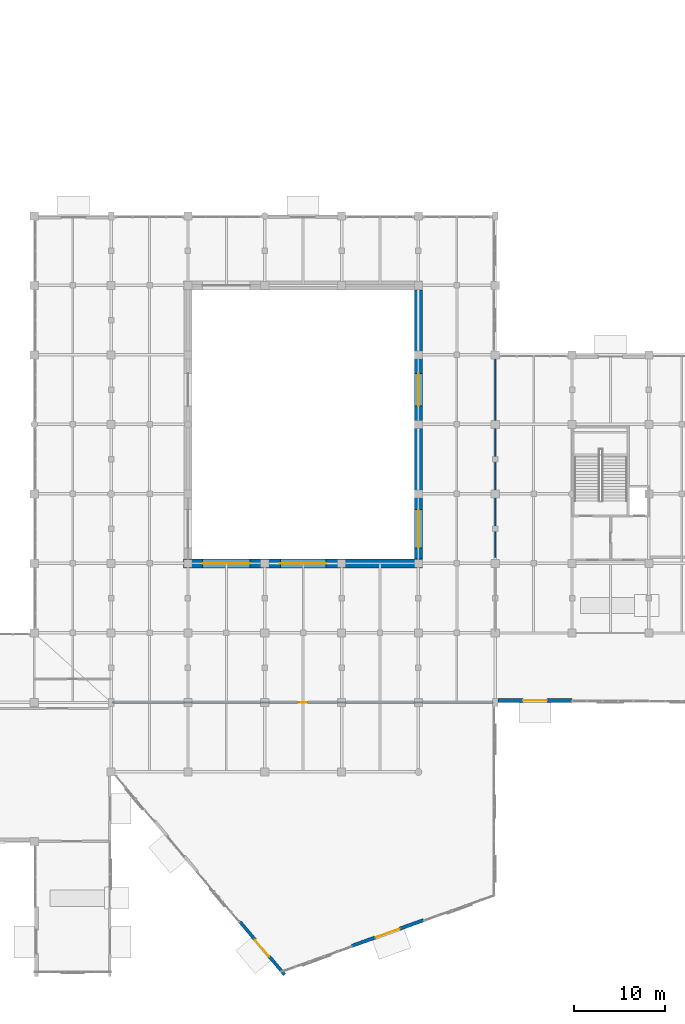
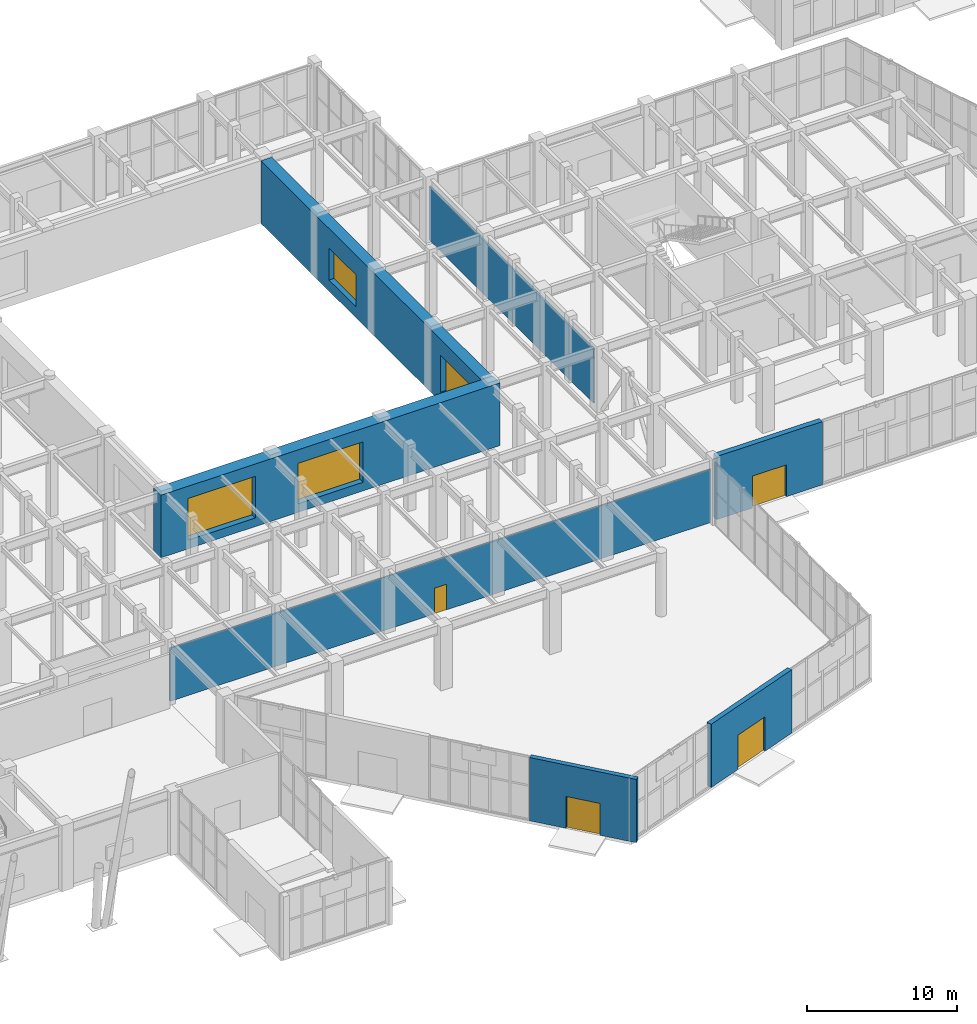
# One storey, part 121 of 139: 7 walls, 4 doors, 4 windows, 8 openings.
"""IFC4 building model written with IfcOpenShell, lengths in metres."""

from ifc_helpers import new_model, si_unit, direction, frame, frame_2d, origin, place, context, subcontext, project, spatial, rectangle, extrude, material, layer, layer_set, type_object, element, fill, save


model = new_model("IFC4")

# Units and contexts
model_context = context("Model", 3, precision=1e-05, world=origin(), true_north=direction((0.0, 1.0)))
body_context = subcontext(model_context, "Body", "Model", "MODEL_VIEW")
ifc_project = project(units=[si_unit("LENGTHUNIT", "METRE"), si_unit("AREAUNIT", "SQUARE_METRE"), si_unit("VOLUMEUNIT", "CUBIC_METRE"), si_unit("PLANEANGLEUNIT", "RADIAN"), si_unit("MASSUNIT", "GRAM", prefix="KILO")], contexts=[model_context])

# Site, building, storey
site_placement = place(None, origin())
site = spatial("IfcSite", under=ifc_project, at=site_placement, CompositionType="ELEMENT")
building_placement = place(site_placement, origin())
building = spatial("IfcBuilding", under=site, at=building_placement, Name="Xicomal Pleat Aquarium", CompositionType="ELEMENT")
storey_placement = place(building_placement, origin())
storey = spatial("IfcBuildingStorey", under=building, at=storey_placement, Name="L01", CompositionType="ELEMENT", Elevation=0.0)

# Wall, opening, door
ifc_material_1 = material(Name="Volcanic basalt recinto masonry and concrete C40/50", Category="masonry")
ifc_layer_1 = layer(ifc_material_1, 0.35009765625)
ifc_layer_set_1 = layer_set([ifc_layer_1], Name="Volcanic basalt recinto masonry and concrete C40/50")
wall_type_1 = type_object("IfcWallType", Name="WAL-EXT-BAS-350", PredefinedType="SOLIDWALL", material=ifc_layer_set_1)
wall_1_placement = place(storey_placement, frame((71.166015625, 0.637939453125, 0.0), z_axis=(0.0, 0.0, 1.0), x_axis=(-0.645615960165, 0.763662249938, 0.0)))
wall_1 = element("IfcWall", 1, at=wall_1_placement, inside=storey, type_object=wall_type_1, Name="L01 exterior basalt-precast wall EW-L01-004", PredefinedType="SOLIDWALL", context=body_context, shape_type="SweptSolid", body=[
    extrude(rectangle(XDim=7.58203125, YDim=0.35009765625, at=frame_2d((3.791015625, 0.0))), origin(), (0.0, 0.0, 1.0), 5.159912109375),
])
opening_1_placement = place(wall_1_placement, frame((2.591064453125, 0.0, 0.0)))
opening_1 = element("IfcOpeningElement", 2, at=opening_1_placement, cuts=wall_1, Name="Opening DG-04", PredefinedType="OPENING", context=body_context, shape_type="SweptSolid", body=[
    extrude(rectangle(XDim=2.39990234375, YDim=2.60009765625, at=frame_2d((1.199951171875, 1.300048828125))), frame((0.0, 0.18505859375, 0.0), z_axis=(0.0, -1.0, 0.0), x_axis=(1.0, 0.0, 0.0)), (0.0, 0.0, 1.0), 0.3701171875),
])
ifc_material_2 = material(Name="Galvanized powder-coated steel", Category="steel")
door_type_1 = type_object("IfcDoorType", Name="DOR-GAT-2400x2600", OperationType="DOUBLE_DOOR_SINGLE_SWING", PredefinedType="GATE", material=ifc_material_2)
door_1_placement = place(opening_1_placement, origin())
door_1 = element("IfcDoor", 3, at=door_1_placement, inside=storey, type_object=door_type_1, Name="Court biosecurity service gate DG-04", OperationType="DOUBLE_DOOR_SINGLE_SWING", OverallHeight=2.60009765625, OverallWidth=2.39990234375, PredefinedType="GATE", context=body_context, shape_type="SweptSolid", body=[
    extrude(rectangle(XDim=2.39990234375, YDim=2.60009765625, at=frame_2d((1.199951171875, 1.300048828125))), frame((0.0, 0.02490234375, 0.0), z_axis=(0.0, -1.0, 0.0), x_axis=(1.0, 0.0, 0.0)), (0.0, 0.0, 1.0), 0.050048828125),
])
fill(opening_1, door_1)

ifc_material_3 = material(Name="Volcanic basalt recinto masonry and concrete C40/50", Category="masonry")
ifc_layer_2 = layer(ifc_material_3, 0.3798828125)
ifc_layer_set_2 = layer_set([ifc_layer_2], Name="Volcanic basalt recinto masonry and concrete C40/50")
wall_type_2 = type_object("IfcWallType", Name="WAL-EXT-BAS-380", PredefinedType="SOLIDWALL", material=ifc_layer_set_2)
wall_2_placement = place(storey_placement, frame((86.35498046875, 6.5859375, 0.0), z_axis=(0.0, 0.0, 1.0), x_axis=(-0.941180805615, -0.337903375452, 0.0)))
wall_2 = element("IfcWall", 4, at=wall_2_placement, inside=storey, type_object=wall_type_2, Name="L01 exterior basalt-precast wall EW-L01-002", PredefinedType="SOLIDWALL", context=body_context, shape_type="SweptSolid", body=[
    extrude(rectangle(XDim=8.32763671875, YDim=0.3798828125, at=frame_2d((4.163818359375, 0.0))), origin(), (0.0, 0.0, 1.0), 5.159912109375),
])
opening_2_placement = place(wall_2_placement, frame((2.763916015625, 0.0, 0.0)))
opening_2 = element("IfcOpeningElement", 5, at=opening_2_placement, cuts=wall_2, Name="Opening DG-03", PredefinedType="OPENING", context=body_context, shape_type="SweptSolid", body=[
    extrude(rectangle(XDim=2.800048828125, YDim=2.800048828125, at=frame_2d((1.39990234375, 1.39990234375))), frame((0.0, 0.199951171875, 0.0), z_axis=(0.0, -1.0, 0.0), x_axis=(1.0, 0.0, 0.0)), (0.0, 0.0, 1.0), 0.39990234375),
])
ifc_material_4 = material(Name="Galvanized powder-coated steel", Category="steel")
door_type_2 = type_object("IfcDoorType", Name="DOR-GAT-2800x2800", OperationType="DOUBLE_DOOR_SINGLE_SWING", PredefinedType="GATE", material=ifc_material_4)
door_2_placement = place(opening_2_placement, origin())
door_2 = element("IfcDoor", 6, at=door_2_placement, inside=storey, type_object=door_type_2, Name="Court biosecurity service gate DG-03", OperationType="DOUBLE_DOOR_SINGLE_SWING", OverallHeight=2.800048828125, OverallWidth=2.800048828125, PredefinedType="GATE", context=body_context, shape_type="SweptSolid", body=[
    extrude(rectangle(XDim=2.800048828125, YDim=2.800048828125, at=frame_2d((1.39990234375, 1.39990234375))), frame((0.0, 0.02490234375, 0.0), z_axis=(0.0, -1.0, 0.0), x_axis=(1.0, 0.0, 0.0)), (0.0, 0.0, 1.0), 0.050048828125),
])
fill(opening_2, door_2)

ifc_material_5 = material(Name="Volcanic basalt recinto masonry and concrete C40/50", Category="masonry")
ifc_layer_3 = layer(ifc_material_5, 0.419921875)
ifc_layer_set_3 = layer_set([ifc_layer_3], Name="Volcanic basalt recinto masonry and concrete C40/50")
wall_type_3 = type_object("IfcWallType", Name="WAL-EXT-BAS-420", PredefinedType="SOLIDWALL", material=ifc_layer_set_3)
wall_3_placement = place(storey_placement, frame((102.6201171875, 30.610107421875, 0.0), z_axis=(0.0, 0.0, 1.0), x_axis=(-1.0, 0.0, 0.0)))
wall_3 = element("IfcWall", 7, at=wall_3_placement, inside=storey, type_object=wall_type_3, Name="L01 exterior basalt-precast wall EW-L01-078", PredefinedType="SOLIDWALL", context=body_context, shape_type="SweptSolid", body=[
    extrude(rectangle(XDim=8.135009765625, YDim=0.419921875, at=frame_2d((4.0673828125, 0.0))), origin(), (0.0, 0.0, 1.0), 5.159912109375),
])
opening_3_placement = place(wall_3_placement, frame((2.76806640625, 0.0, 0.0)))
opening_3 = element("IfcOpeningElement", 8, at=opening_3_placement, cuts=wall_3, Name="Opening EX-17", PredefinedType="OPENING", context=body_context, shape_type="SweptSolid", body=[
    extrude(rectangle(XDim=2.60009765625, YDim=2.60009765625, at=frame_2d((1.300048828125, 1.300048828125))), frame((0.0, 0.219970703125, 0.0), z_axis=(0.0, -1.0, 0.0), x_axis=(1.0, 0.0, 0.0)), (0.0, 0.0, 1.0), 0.43994140625),
])
ifc_material_6 = material(Name="Bronze anodized aluminium and laminated safety glass", Category="aluminium")
door_type_3 = type_object("IfcDoorType", Name="DOR-EX-2600x2600", OperationType="DOUBLE_DOOR_SINGLE_SWING", PredefinedType="DOOR", material=ifc_material_6)
door_3_placement = place(opening_3_placement, origin())
door_3 = element("IfcDoor", 9, at=door_3_placement, inside=storey, type_object=door_type_3, Name="Ground floor pedestrian final exit door EX-17", OperationType="DOUBLE_DOOR_SINGLE_SWING", OverallHeight=2.60009765625, OverallWidth=2.60009765625, PredefinedType="DOOR", context=body_context, shape_type="SweptSolid", body=[
    extrude(rectangle(XDim=2.60009765625, YDim=2.60009765625, at=frame_2d((1.300048828125, 1.300048828125))), frame((0.0, 0.02490234375, 0.0), z_axis=(0.0, -1.0, 0.0), x_axis=(1.0, 0.0, 0.0)), (0.0, 0.0, 1.0), 0.050048828125),
])
fill(opening_3, door_3)

ifc_material_7 = material(Name="Acoustic double-stud drywall partition", Category="gypsum")
ifc_layer_4 = layer(ifc_material_7, 0.125)
ifc_layer_set_4 = layer_set([ifc_layer_4], Name="Acoustic double-stud drywall partition")
wall_type_4 = type_object("IfcWallType", Name="WAL-PRT-125", PredefinedType="PARTITIONING", material=ifc_layer_set_4)
wall_4_placement = place(storey_placement, frame((94.0, 30.39990234375, 0.0), z_axis=(0.0, 0.0, 1.0), x_axis=(-1.0, 0.0, 0.0)))
wall_4 = element("IfcWall", 10, at=wall_4_placement, inside=storey, type_object=wall_type_4, Name="L01 interior partition PT-L01-031", PredefinedType="PARTITIONING", context=body_context, shape_type="SweptSolid", body=[
    extrude(rectangle(XDim=41.699951171875, YDim=0.125, at=frame_2d((20.85009765625, 0.0))), origin(), (0.0, 0.0, 1.0), 4.324951171875),
])
opening_4_placement = place(wall_4_placement, frame((20.375, 0.0, 0.0)))
opening_4 = element("IfcOpeningElement", 11, at=opening_4_placement, cuts=wall_4, Name="Opening DR-L01-015", PredefinedType="OPENING", context=body_context, shape_type="SweptSolid", body=[
    extrude(rectangle(XDim=0.949951171875, YDim=2.10009765625, at=frame_2d((0.47509765625, 1.050048828125))), frame((0.0, 0.072509765625, 0.0), z_axis=(0.0, -1.0, 0.0), x_axis=(1.0, 0.0, 0.0)), (0.0, 0.0, 1.0), 0.14501953125),
])
ifc_material_8 = material(Name="Solid-core hardwood and anodized aluminium frame", Category="wood")
door_type_4 = type_object("IfcDoorType", Name="DOR-WC-0950x2100", OperationType="NOTDEFINED", PredefinedType="DOOR", material=ifc_material_8)
door_4_placement = place(opening_4_placement, origin())
door_4 = element("IfcDoor", 12, at=door_4_placement, inside=storey, type_object=door_type_4, Name="L01 Acrylic Tunnel Orientation Concourse door DR-L01-015", OperationType="SINGLE_SWING_LEFT", OverallHeight=2.10009765625, OverallWidth=0.949951171875, PredefinedType="DOOR", context=body_context, shape_type="SweptSolid", body=[
    extrude(rectangle(XDim=0.949951171875, YDim=2.10009765625, at=frame_2d((0.47509765625, 1.050048828125))), frame((0.0, 0.02490234375, 0.0), z_axis=(0.0, -1.0, 0.0), x_axis=(1.0, 0.0, 0.0)), (0.0, 0.0, 1.0), 0.050048828125),
])
fill(opening_4, door_4)

# Wall
ifc_material_9 = material(Name="Acoustic double-stud drywall partition", Category="gypsum")
ifc_layer_5 = layer(ifc_material_9, 0.139892578125)
ifc_layer_set_5 = layer_set([ifc_layer_5], Name="Acoustic double-stud drywall partition")
wall_type_5 = type_object("IfcWallType", Name="WAL-PRT-140", PredefinedType="PARTITIONING", material=ifc_layer_set_5)
wall_5_placement = place(storey_placement, frame((94.199951171875, 68.199951171875, 0.0), z_axis=(0.0, 0.0, 1.0), x_axis=(0.0, -1.0, 0.0)))
element("IfcWall", 13, at=wall_5_placement, inside=storey, type_object=wall_type_5, Name="L01 interior partition PT-L01-029", PredefinedType="PARTITIONING", context=body_context, shape_type="SweptSolid", body=[
    extrude(rectangle(XDim=21.931884765625, YDim=0.139892578125, at=frame_2d((10.9658203125, 0.0))), origin(), (0.0, 0.0, 1.0), 4.402099609375),
])

# Wall, openings, windows
ifc_material_10 = material(Name="Concrete C45/55", Category="concrete")
ifc_layer_6 = layer(ifc_material_10, 0.85009765625)
ifc_layer_set_6 = layer_set([ifc_layer_6], Name="Concrete C45/55")
wall_type_6 = type_object("IfcWallType", Name="WAL-TANK-850", PredefinedType="SHEAR", material=ifc_layer_set_6)
wall_6_placement = place(storey_placement, frame((85.800048828125, 46.094970703125, 0.0), z_axis=(0.0, 0.0, 1.0), x_axis=(0.0, 1.0, 0.0)))
wall_6 = element("IfcWall", 14, at=wall_6_placement, inside=storey, type_object=wall_type_6, Name="Main ocean tank hydrostatic wall TW-L01-E", PredefinedType="SHEAR", context=body_context, shape_type="SweptSolid", body=[
    extrude(rectangle(XDim=29.409912109375, YDim=0.85009765625, at=frame_2d((14.705078125, 0.0))), origin(), (0.0, 0.0, 1.0), 5.10009765625),
])
opening_5_placement = place(wall_6_placement, frame((1.199951171875, 0.0, 0.800048828125)))
opening_5 = element("IfcOpeningElement", 15, at=opening_5_placement, cuts=wall_6, Name="Opening AW-04", PredefinedType="OPENING", context=body_context, shape_type="SweptSolid", body=[
    extrude(rectangle(XDim=4.199951171875, YDim=3.0, at=frame_2d((2.10009765625, 1.5))), frame((0.0, 0.43505859375, 0.0), z_axis=(0.0, -1.0, 0.0), x_axis=(1.0, 0.0, 0.0)), (0.0, 0.0, 1.0), 0.8701171875),
])
opening_6_placement = place(wall_6_placement, frame((16.699951171875, 0.0, 0.89990234375)))
opening_6 = element("IfcOpeningElement", 16, at=opening_6_placement, cuts=wall_6, Name="Opening AW-05", PredefinedType="OPENING", context=body_context, shape_type="SweptSolid", body=[
    extrude(rectangle(XDim=3.60009765625, YDim=2.60009765625, at=frame_2d((1.800048828125, 1.300048828125))), frame((0.0, 0.43505859375, 0.0), z_axis=(0.0, -1.0, 0.0), x_axis=(1.0, 0.0, 0.0)), (0.0, 0.0, 1.0), 0.8701171875),
])
ifc_material_11 = material(Name="Cast PMMA acrylic viewing glazing", Category="glass")
window_type_1 = type_object("IfcWindowType", Name="WIN-PMMA-3600x2600", PartitioningType="SINGLE_PANEL", PredefinedType="WINDOW", material=ifc_material_11)
window_1_placement = place(opening_6_placement, origin())
window_1 = element("IfcWindow", 17, at=window_1_placement, inside=storey, type_object=window_type_1, Name="L01 cast PMMA acrylic ocean tank window AW-L01-E2", OverallHeight=2.60009765625, OverallWidth=3.60009765625, PartitioningType="SINGLE_PANEL", PredefinedType="WINDOW", context=body_context, shape_type="SweptSolid", body=[
    extrude(rectangle(XDim=3.60009765625, YDim=2.60009765625, at=frame_2d((1.800048828125, 1.300048828125))), frame((0.0, 0.030029296875, 0.0), z_axis=(0.0, -1.0, 0.0), x_axis=(1.0, 0.0, 0.0)), (0.0, 0.0, 1.0), 0.06005859375),
])
fill(opening_6, window_1)
ifc_material_12 = material(Name="Cast PMMA acrylic viewing glazing", Category="glass")
window_type_2 = type_object("IfcWindowType", Name="WIN-PMMA-4200x3000", PartitioningType="SINGLE_PANEL", PredefinedType="WINDOW", material=ifc_material_12)
window_2_placement = place(opening_5_placement, origin())
window_2 = element("IfcWindow", 18, at=window_2_placement, inside=storey, type_object=window_type_2, Name="L01 cast PMMA acrylic ocean tank window AW-L01-E1", OverallHeight=3.0, OverallWidth=4.199951171875, PartitioningType="SINGLE_PANEL", PredefinedType="WINDOW", context=body_context, shape_type="SweptSolid", body=[
    extrude(rectangle(XDim=4.199951171875, YDim=3.0, at=frame_2d((2.10009765625, 1.5))), frame((0.0, 0.030029296875, 0.0), z_axis=(0.0, -1.0, 0.0), x_axis=(1.0, 0.0, 0.0)), (0.0, 0.0, 1.0), 0.06005859375),
])
fill(opening_5, window_2)

ifc_material_13 = material(Name="Concrete C45/55", Category="concrete")
ifc_layer_7 = layer(ifc_material_13, 0.949951171875)
ifc_layer_set_7 = layer_set([ifc_layer_7], Name="Concrete C45/55")
wall_type_7 = type_object("IfcWallType", Name="WAL-TANK-950", PredefinedType="SHEAR", material=ifc_layer_set_7)
wall_7_placement = place(storey_placement, frame((60.125, 45.60009765625, 0.0), z_axis=(0.0, 0.0, 1.0), x_axis=(1.0, 0.0, 0.0)))
wall_7 = element("IfcWall", 19, at=wall_7_placement, inside=storey, type_object=wall_type_7, Name="Main ocean tank hydrostatic wall TW-L01-S", PredefinedType="SHEAR", context=body_context, shape_type="SweptSolid", body=[
    extrude(rectangle(XDim=26.14990234375, YDim=0.949951171875, at=frame_2d((13.074951171875, 0.0))), origin(), (0.0, 0.0, 1.0), 5.10009765625),
])
opening_7_placement = place(wall_7_placement, frame((2.080078125, 0.0, 0.699951171875)))
opening_7 = element("IfcOpeningElement", 20, at=opening_7_placement, cuts=wall_7, Name="Opening AW-01", PredefinedType="OPENING", context=body_context, shape_type="SweptSolid", body=[
    extrude(rectangle(XDim=5.199951171875, YDim=3.39990234375, at=frame_2d((2.60009765625, 1.699951171875))), frame((0.0, 0.48486328125, 0.0), z_axis=(0.0, -1.0, 0.0), x_axis=(1.0, 0.0, 0.0)), (0.0, 0.0, 1.0), 0.969970703125),
])
opening_8_placement = place(wall_7_placement, frame((10.580078125, 0.0, 0.699951171875)))
opening_8 = element("IfcOpeningElement", 21, at=opening_8_placement, cuts=wall_7, Name="Opening AW-02", PredefinedType="OPENING", context=body_context, shape_type="SweptSolid", body=[
    extrude(rectangle(XDim=5.0, YDim=3.300048828125, at=frame_2d((2.5, 1.64990234375))), frame((0.0, 0.48486328125, 0.0), z_axis=(0.0, -1.0, 0.0), x_axis=(1.0, 0.0, 0.0)), (0.0, 0.0, 1.0), 0.969970703125),
])
ifc_material_14 = material(Name="Cast PMMA acrylic viewing glazing", Category="glass")
window_type_3 = type_object("IfcWindowType", Name="WIN-PMMA-5000x3300", PartitioningType="SINGLE_PANEL", PredefinedType="WINDOW", material=ifc_material_14)
window_3_placement = place(opening_8_placement, origin())
window_3 = element("IfcWindow", 22, at=window_3_placement, inside=storey, type_object=window_type_3, Name="L01 cast PMMA acrylic ocean tank window AW-L01-S2", OverallHeight=3.300048828125, OverallWidth=5.0, PartitioningType="SINGLE_PANEL", PredefinedType="WINDOW", context=body_context, shape_type="SweptSolid", body=[
    extrude(rectangle(XDim=5.0, YDim=3.300048828125, at=frame_2d((2.5, 1.64990234375))), frame((0.0, 0.030029296875, 0.0), z_axis=(0.0, -1.0, 0.0), x_axis=(1.0, 0.0, 0.0)), (0.0, 0.0, 1.0), 0.06005859375),
])
fill(opening_8, window_3)
ifc_material_15 = material(Name="Cast PMMA acrylic viewing glazing", Category="glass")
window_type_4 = type_object("IfcWindowType", Name="WIN-PMMA-5200x3400", PartitioningType="SINGLE_PANEL", PredefinedType="WINDOW", material=ifc_material_15)
window_4_placement = place(opening_7_placement, origin())
window_4 = element("IfcWindow", 23, at=window_4_placement, inside=storey, type_object=window_type_4, Name="L01 cast PMMA acrylic ocean tank window AW-L01-S1", OverallHeight=3.39990234375, OverallWidth=5.199951171875, PartitioningType="SINGLE_PANEL", PredefinedType="WINDOW", context=body_context, shape_type="SweptSolid", body=[
    extrude(rectangle(XDim=5.199951171875, YDim=3.39990234375, at=frame_2d((2.60009765625, 1.699951171875))), frame((0.0, 0.030029296875, 0.0), z_axis=(0.0, -1.0, 0.0), x_axis=(1.0, 0.0, 0.0)), (0.0, 0.0, 1.0), 0.06005859375),
])
fill(opening_7, window_4)

save(model, "model.ifc")
